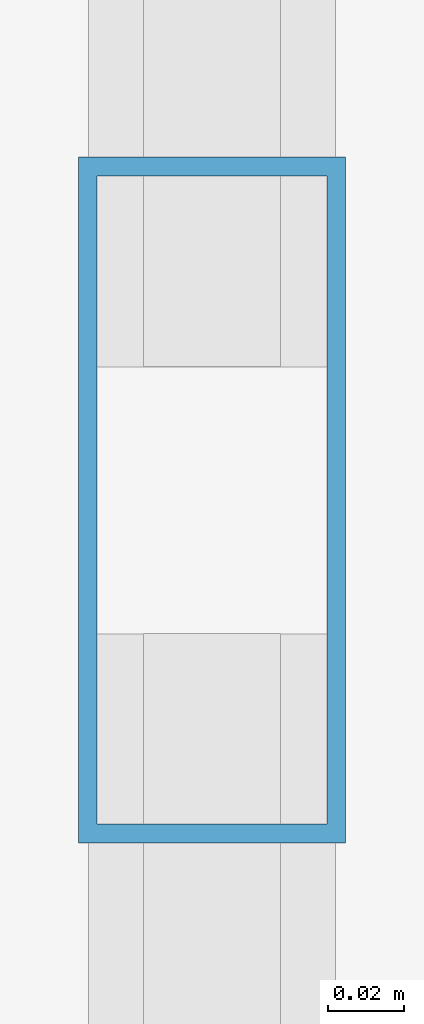
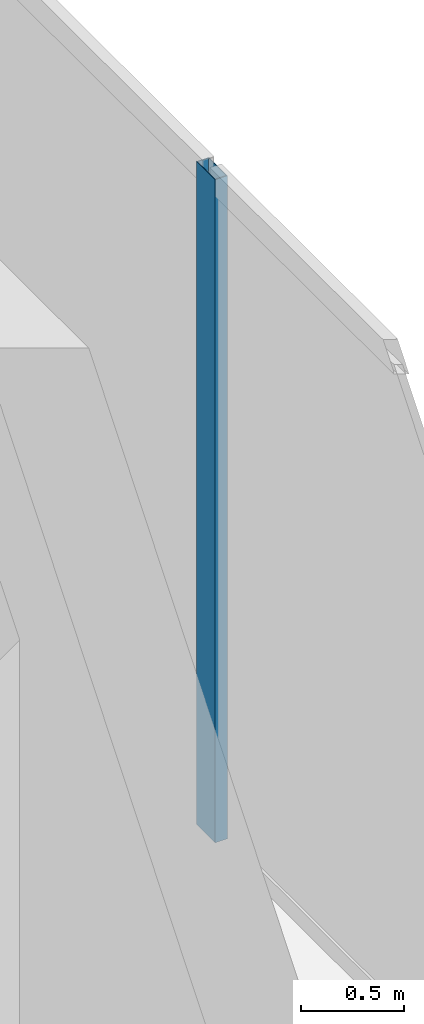
# One storey, part 17 of 34: 1 member, 1 element without a shape of its own.
"""IFC4 building model written with IfcOpenShell, lengths in metres."""

from ifc_helpers import new_model, si_unit, direction, frame, origin, origin_2d, place, context, subcontext, project, spatial, hollow_rectangle, extrude, source, transform, mapped, material, layer, layer_set, material_profile, profile_set, type_object, type_shapes, element, aggregate, save


model = new_model("IFC4")

# Units and contexts
model_context = context("Model", 3, precision=1e-05, world=origin(), true_north=direction((0.0, 1.0)))
body_context = subcontext(model_context, "Body", "Model", "MODEL_VIEW")
ifc_project = project(units=[si_unit("LENGTHUNIT", "METRE"), si_unit("AREAUNIT", "SQUARE_METRE"), si_unit("VOLUMEUNIT", "CUBIC_METRE"), si_unit("PLANEANGLEUNIT", "RADIAN"), si_unit("MASSUNIT", "GRAM", prefix="KILO")], contexts=[model_context])

# Site, building, storey
site_placement = place(None, origin())
site = spatial("IfcSite", under=ifc_project, at=site_placement, CompositionType="ELEMENT")
building_placement = place(site_placement, origin())
building = spatial("IfcBuilding", under=site, at=building_placement, Name="Haelvirn Gate Laboratories", CompositionType="ELEMENT")
storey_placement = place(building_placement, frame((0.0, 0.0, 322.800048828125)))
storey = spatial("IfcBuildingStorey", under=building, at=storey_placement, Name="L77", CompositionType="ELEMENT", Elevation=322.800048828125)

# Curtain wall, member
ifc_material_1 = material(Name="Anodised bronze unitised aluminium & triple low-E glass", Category="aluminium")
ifc_layer = layer(ifc_material_1, 0.176025390625, Name="CW-SYS-4")
ifc_layer_set = layer_set([ifc_layer], Name="Anodised bronze unitised aluminium & triple low-E glass")
curtain_wall_type = type_object("IfcCurtainWallType", Name="CW-SYS-4", PredefinedType="NOTDEFINED", material=ifc_layer_set)
curtain_wall_placement = place(storey_placement, origin())
curtain_wall = element("IfcCurtainWall", 1, at=curtain_wall_placement, inside=storey, type_object=curtain_wall_type, Name="L77 Unitised Curtain Wall CW-L77-P0-E07", PredefinedType="NOTDEFINED")
ifc_material_2 = material(Name="Extruded aluminium 6063-T6 (anodised bronze)", Category="aluminium")
ifc_material_profile = material_profile(ifc_material_2, hollow_rectangle(XDim=0.070068359375, YDim=0.179931640625, WallThickness=0.0048828125, at=origin_2d()), Name="CWM-180x70x5")
ifc_profile_set = profile_set([ifc_material_profile], Name="Extruded aluminium 6063-T6 (anodised bronze)")
member_type = type_object("IfcMemberType", Name="CWM-T180", PredefinedType="MULLION", material=ifc_profile_set)
shared_shape = source(origin(), body_context, "Body", "SweptSolid", [
    extrude(hollow_rectangle(XDim=0.070068359375, YDim=0.179931640625, WallThickness=0.0048828125, at=origin_2d()), origin(), (0.0, 0.0, 1.0), 3.919921875),
])
type_shapes(member_type, [shared_shape])
member_placement = place(storey_placement, frame((68.89990234375, 24.300048828125, 0.0), z_axis=(0.0, 0.0, 1.0), x_axis=(-1.0, 0.0, 0.0)))
member = element("IfcMember", 2, at=member_placement, type_object=member_type, Name="CW4 mullion 2", PredefinedType="MULLION", context=body_context, shape_type="MappedRepresentation", body=[
    mapped(shared_shape, transform((0.0, 0.0, 0.0), scale=1.0)),
])
aggregate(curtain_wall, [member])

save(model, "model.ifc")
